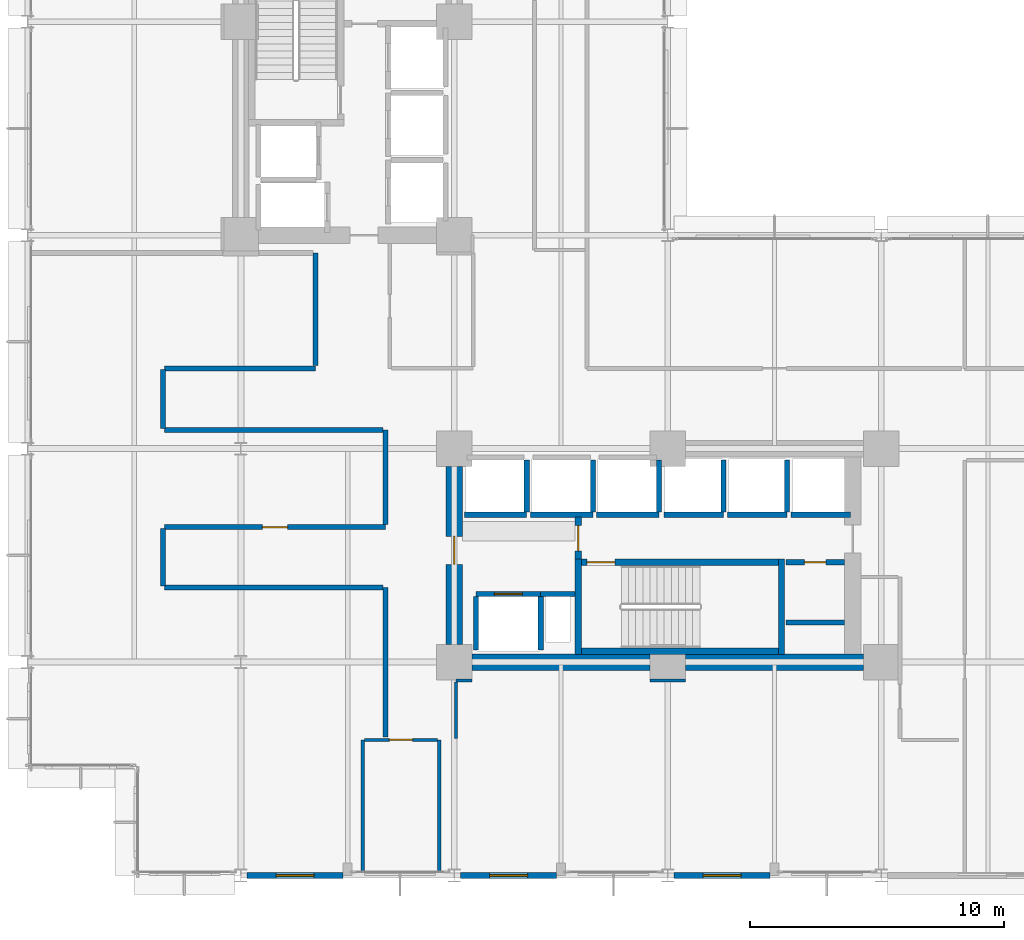
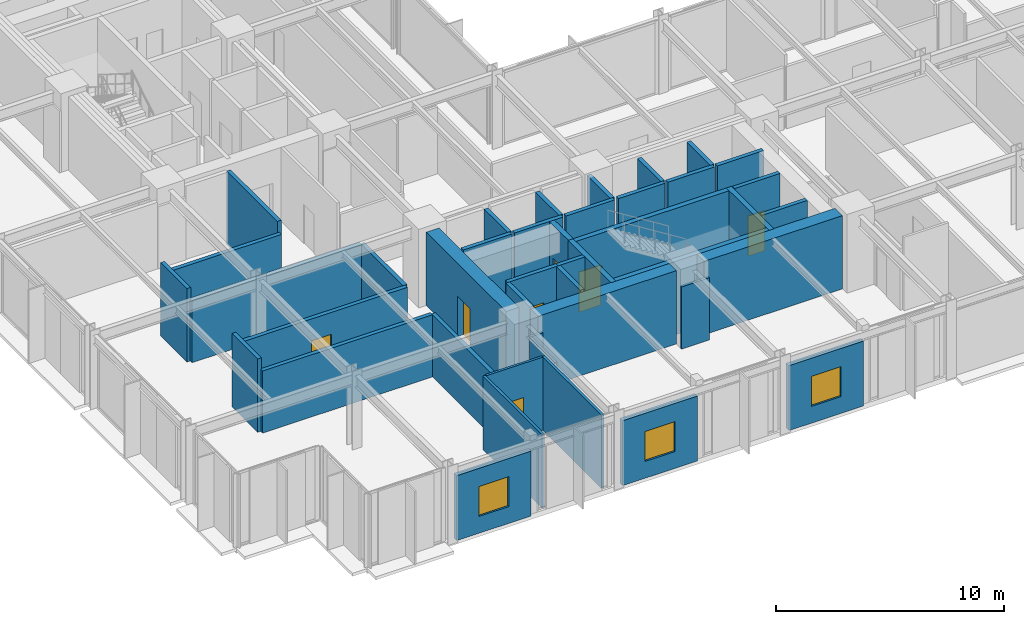
# One storey, part 23 of 30: 43 walls, 7 doors, 3 windows, 10 openings.
"""IFC4 building model written with IfcOpenShell, lengths in metres."""

import ifcopenshell
import ifcopenshell.guid

model = None  # the IFC model being written
_history = None  # IfcOwnerHistory: only IFC2X3 demands one
_inside = {}  # id of a spatial element -> (the spatial element, [elements in it])
_under = {}  # id of a project, library or spatial element -> (it, [spatial elements below it])
_declared = {}  # id of a project -> (the project, [libraries it declares])
_typed = {}  # id of a type object -> (the type object, [elements of that type])
_made_of = {}  # id of a material, layer set ... -> (it, [elements and type objects made of it])


def new_model(schema):
    """Start an empty IFC model of exactly this schema.

    Asked for "IFC4X3", IfcOpenShell would pick the latest addendum, in which some entities
    have other attributes; the version numbers below select the first issue.
    IFC2X3 requires an IfcOwnerHistory on every rooted entity: one is made here for all.
    """
    global model, _history
    if schema == "IFC4X3":
        model = ifcopenshell.file(schema_version=(4, 3, 0, 0))
    else:
        model = ifcopenshell.file(schema=schema)
    _inside.clear()
    _under.clear()
    _declared.clear()
    _typed.clear()
    _made_of.clear()
    _history = None
    if model.schema == "IFC2X3":
        org = make("IfcOrganization", Name="unknown")
        user = make(
            "IfcPersonAndOrganization",
            ThePerson=make("IfcPerson", FamilyName="unknown"),
            TheOrganization=org,
        )
        app = make(
            "IfcApplication",
            ApplicationDeveloper=org,
            Version="unknown",
            ApplicationFullName="unknown",
            ApplicationIdentifier="unknown",
        )
        _history = make(
            "IfcOwnerHistory",
            OwningUser=user,
            OwningApplication=app,
            ChangeAction="ADDED",
            CreationDate=0,
        )
    return model


def make(cls, **values):
    """One entity of the class cls with the attributes given. An attribute that is None is left unset."""
    return model.create_entity(
        cls, **{name: value for name, value in values.items() if value is not None}
    )


def rooted(cls, **values):
    """An entity with a GlobalId (a new one), such as an element, a storey or a relation."""
    return make(cls, GlobalId=ifcopenshell.guid.new(), OwnerHistory=_history, **values)


def si_unit(unit_type, name, prefix=None):
    """IfcSIUnit, for example si_unit("LENGTHUNIT", "METRE", prefix="MILLI")."""
    return make("IfcSIUnit", UnitType=unit_type, Prefix=prefix, Name=name)


def assignment(units):
    """IfcUnitAssignment: the units of a project."""
    return None if units is None else make("IfcUnitAssignment", Units=units)


def point(xyz):
    """IfcCartesianPoint."""
    return None if xyz is None else make("IfcCartesianPoint", Coordinates=xyz)


def direction(xyz):
    """IfcDirection."""
    return None if xyz is None else make("IfcDirection", DirectionRatios=xyz)


def frame(location, z_axis=None, x_axis=None):
    """IfcAxis2Placement3D, a coordinate frame: its origin and axes. An axis left out is left unset."""
    return make(
        "IfcAxis2Placement3D",
        Location=point(location),
        Axis=direction(z_axis),
        RefDirection=direction(x_axis),
    )


def frame_2d(location, x_axis=None):
    """IfcAxis2Placement2D, a coordinate frame in the plane: its origin and x axis."""
    return make(
        "IfcAxis2Placement2D", Location=point(location), RefDirection=direction(x_axis)
    )


def origin():
    """The frame at (0, 0, 0) with its axes left unset."""
    return frame((0.0, 0.0, 0.0))


def place(relative_to, where):
    """IfcLocalPlacement: puts the frame where relative to a parent placement (None: the world)."""
    return make(
        "IfcLocalPlacement", PlacementRelTo=relative_to, RelativePlacement=where
    )


def context(
    kind, dimensions, precision=None, world=None, true_north=None, identifier=None
):
    """IfcGeometricRepresentationContext, for example the 3D "Model" context."""
    return make(
        "IfcGeometricRepresentationContext",
        ContextIdentifier=identifier,
        ContextType=kind,
        CoordinateSpaceDimension=dimensions,
        Precision=precision,
        WorldCoordinateSystem=world,
        TrueNorth=true_north,
    )


def subcontext(parent, identifier, kind, view, scale=None):
    """IfcGeometricRepresentationSubContext, for example "Body" below "Model"."""
    return make(
        "IfcGeometricRepresentationSubContext",
        ContextIdentifier=identifier,
        ContextType=kind,
        ParentContext=parent,
        TargetScale=scale,
        TargetView=view,
    )


def project(units=None, contexts=None):
    """IfcProject with its units and contexts."""
    return rooted(
        "IfcProject",
        Name="project",
        RepresentationContexts=contexts,
        UnitsInContext=assignment(units),
    )


def spatial(cls, under=None, at=None, **own):
    """A site, building, storey or space (cls), placed at a placement, below another one or the project."""
    s = rooted(cls, ObjectPlacement=at, **own)
    if under is not None:
        _under.setdefault(under.id(), (under, []))[1].append(s)
    return s


def profile(cls, at=None, kind="AREA", **sizes):
    """A parametric profile (cls). Its sizes go by their IFC names, for example OverallWidth=200.0."""
    return make(cls, ProfileType=kind, Position=at, **sizes)


def rectangle(**sizes):
    """IfcRectangleProfileDef."""
    return profile("IfcRectangleProfileDef", **sizes)


def extrude(swept, where, along, depth):
    """IfcExtrudedAreaSolid: the profile swept, set in the frame where, extruded along a direction by depth."""
    return make(
        "IfcExtrudedAreaSolid",
        SweptArea=swept,
        Position=where,
        ExtrudedDirection=direction(along),
        Depth=depth,
    )


def shape(context_of_items, identifier, shape_type, items):
    """IfcShapeRepresentation: the items that make up one representation, for example the "Body"."""
    return make(
        "IfcShapeRepresentation",
        ContextOfItems=context_of_items,
        RepresentationIdentifier=identifier,
        RepresentationType=shape_type,
        Items=items,
    )


def material(Name=None, Category=None):
    """IfcMaterial."""
    return make("IfcMaterial", Name=Name, Category=Category)


def layer(
    of_material, thickness, ventilated=None, Name=None, Category=None, Priority=None
):
    """IfcMaterialLayer: one layer of a wall or slab, of a material (None: an air gap)."""
    return make(
        "IfcMaterialLayer",
        Material=of_material,
        LayerThickness=thickness,
        IsVentilated=ventilated,
        Name=Name,
        Category=Category,
        Priority=Priority,
    )


def layer_set(layers, Name=None):
    """IfcMaterialLayerSet."""
    return make("IfcMaterialLayerSet", MaterialLayers=layers, LayerSetName=Name)


def made_of(thing, what):
    """Note that an element or type object is made of a material, layer set ...; save() writes the relation."""
    if what is not None:
        _made_of.setdefault(what.id(), (what, []))[1].append(thing)
    return thing


def type_object(cls, material=None, **own):
    """A type object (cls), such as IfcWallType, which elements share."""
    return made_of(rooted(cls, **own), material)


def element(
    cls,
    number,
    at=None,
    inside=None,
    cuts=None,
    type_object=None,
    material=None,
    context=None,
    identifier="Body",
    shape_type=None,
    held_by="IfcProductDefinitionShape",
    body=None,
    shapes=None,
    **own,
):
    """One element of the class cls, such as IfcWall. Its Tag is "e" and its number.

    at: its placement. inside: the storey or other place that contains it. cuts: it is an
    opening in that element (IfcRelVoidsElement). A single representation is given by context,
    identifier, shape_type and body (its items); several are given by shapes. held_by: the class
    of the entity that holds the representations. save() writes the other relations.
    """
    e = rooted(cls, Tag="e%d" % number, ObjectPlacement=at, **own)
    if body is not None:
        shapes = [shape(context, identifier, shape_type, body)]
    if shapes is not None:
        e.Representation = make(held_by, Representations=shapes)
    if inside is not None:
        _inside.setdefault(inside.id(), (inside, []))[1].append(e)
    if cuts is not None:
        rooted(
            "IfcRelVoidsElement", RelatingBuildingElement=cuts, RelatedOpeningElement=e
        )
    if type_object is not None:
        _typed.setdefault(type_object.id(), (type_object, []))[1].append(e)
    return made_of(e, material)


def fill(opening, filler):
    """IfcRelFillsElement: the door or window that sits in an opening."""
    return rooted(
        "IfcRelFillsElement",
        RelatingOpeningElement=opening,
        RelatedBuildingElement=filler,
    )


def aggregate(whole, parts):
    """IfcRelAggregates: a whole, such as a stair, and the parts it consists of."""
    return rooted("IfcRelAggregates", RelatingObject=whole, RelatedObjects=parts)


def save(model, path):
    """Write the relations noted so far, then the file.

    IfcRelAggregates (storeys below a building ...), IfcRelContainedInSpatialStructure (elements
    in a storey), IfcRelDefinesByType, IfcRelAssociatesMaterial and IfcRelDeclares: one each for
    every whole, place, type object, material and project.
    """
    for whole, parts in _under.values():
        aggregate(whole, parts)
    for where, things in _inside.values():
        rooted(
            "IfcRelContainedInSpatialStructure",
            RelatedElements=things,
            RelatingStructure=where,
        )
    for kind, things in _typed.values():
        rooted("IfcRelDefinesByType", RelatedObjects=things, RelatingType=kind)
    for what, things in _made_of.values():
        rooted("IfcRelAssociatesMaterial", RelatedObjects=things, RelatingMaterial=what)
    for by, libraries in _declared.values():
        rooted("IfcRelDeclares", RelatingContext=by, RelatedDefinitions=libraries)
    model.write(path)


model = new_model("IFC4")

# Units and contexts
model_context = context("Model", 3, precision=1e-05, world=origin(), true_north=direction((0.0, 1.0)))
body_context = subcontext(model_context, "Body", "Model", "MODEL_VIEW")
ifc_project = project(units=[si_unit("LENGTHUNIT", "METRE"), si_unit("AREAUNIT", "SQUARE_METRE"), si_unit("VOLUMEUNIT", "CUBIC_METRE"), si_unit("PLANEANGLEUNIT", "RADIAN"), si_unit("MASSUNIT", "GRAM", prefix="KILO")], contexts=[model_context])

# Site, building, storey
site_placement = place(None, origin())
site = spatial("IfcSite", under=ifc_project, at=site_placement, CompositionType="ELEMENT")
building_placement = place(site_placement, origin())
building = spatial("IfcBuilding", under=site, at=building_placement, Name="Nerrivon Quay Data Exchange", CompositionType="ELEMENT")
storey_placement = place(building_placement, frame((0.0, 0.0, 62.60009765625)))
storey = spatial("IfcBuildingStorey", under=building, at=storey_placement, Name="L14", CompositionType="ELEMENT", Elevation=62.60009765625)

# Wall, opening, window
ifc_material_1 = material(Name="Architectural terracotta precast concrete N50 (50 MPa)", Category="masonry")
ifc_layer_1 = layer(ifc_material_1, 0.239990234375)
ifc_layer_set_1 = layer_set([ifc_layer_1], Name="Architectural terracotta precast concrete N50 (50 MPa)")
wall_type_1 = type_object("IfcWallType", Name="EW-PREC-240", PredefinedType="STANDARD", material=ifc_layer_set_1)
wall_1_placement = place(storey_placement, frame((29.22509765625, 0.0, 0.0), z_axis=(0.0, 0.0, 1.0), x_axis=(-1.0, 0.0, 0.0)))
wall_1 = element("IfcWall", 1, at=wall_1_placement, inside=storey, type_object=wall_type_1, Name="L14 Podium Precast Spandrel Wall 9", PredefinedType="STANDARD", context=body_context, shape_type="SweptSolid", body=[
    extrude(rectangle(XDim=3.775146484375, YDim=0.239990234375, at=frame_2d((1.8876953125, 0.0))), origin(), (0.0, 0.0, 1.0), 3.470947265625),
])
opening_1_placement = place(wall_1_placement, frame((1.137451171875, 0.0, 0.89990234375)))
opening_1 = element("IfcOpeningElement", 2, at=opening_1_placement, cuts=wall_1, Name="Opening WN4", PredefinedType="OPENING", context=body_context, shape_type="SweptSolid", body=[
    extrude(rectangle(XDim=1.5, YDim=1.60009765625, at=frame_2d((0.75, 0.800048828125))), frame((0.0, 0.1298828125, 0.0), z_axis=(0.0, -1.0, 0.0), x_axis=(1.0, 0.0, 0.0)), (0.0, 0.0, 1.0), 0.260009765625),
])
ifc_material_2 = material(Name="Double-glazed low-E solar control glass", Category="glass")
window_type = type_object("IfcWindowType", Name="WIN-W4-1500x1600", PartitioningType="SINGLE_PANEL", PredefinedType="WINDOW", material=ifc_material_2)
window_1_placement = place(opening_1_placement, origin())
window_1 = element("IfcWindow", 3, at=window_1_placement, inside=storey, type_object=window_type, Name="L14 Solar Facade Window 9", OverallHeight=1.60009765625, OverallWidth=1.5, PartitioningType="SINGLE_PANEL", PredefinedType="WINDOW", context=body_context, shape_type="SweptSolid", body=[
    extrude(rectangle(XDim=1.5, YDim=1.60009765625, at=frame_2d((0.75, 0.800048828125))), frame((0.0, 0.030029296875, 0.0), z_axis=(0.0, -1.0, 0.0), x_axis=(1.0, 0.0, 0.0)), (0.0, 0.0, 1.0), 0.06005859375),
])
fill(opening_1, window_1)

wall_2_placement = place(storey_placement, frame((20.824951171875, 0.0, 0.0), z_axis=(0.0, 0.0, 1.0), x_axis=(-1.0, 0.0, 0.0)))
wall_2 = element("IfcWall", 4, at=wall_2_placement, inside=storey, type_object=wall_type_1, Name="L14 Podium Precast Spandrel Wall 11", PredefinedType="STANDARD", context=body_context, shape_type="SweptSolid", body=[
    extrude(rectangle(XDim=3.77490234375, YDim=0.239990234375, at=frame_2d((1.887451171875, 0.0))), origin(), (0.0, 0.0, 1.0), 3.470947265625),
])
opening_2_placement = place(wall_2_placement, frame((1.137451171875, 0.0, 0.89990234375)))
opening_2 = element("IfcOpeningElement", 5, at=opening_2_placement, cuts=wall_2, Name="Opening WN4", PredefinedType="OPENING", context=body_context, shape_type="SweptSolid", body=[
    extrude(rectangle(XDim=1.5, YDim=1.60009765625, at=frame_2d((0.75, 0.800048828125))), frame((0.0, 0.1298828125, 0.0), z_axis=(0.0, -1.0, 0.0), x_axis=(1.0, 0.0, 0.0)), (0.0, 0.0, 1.0), 0.260009765625),
])
window_2_placement = place(opening_2_placement, origin())
window_2 = element("IfcWindow", 6, at=window_2_placement, inside=storey, type_object=window_type, Name="L14 Solar Facade Window 11", OverallHeight=1.60009765625, OverallWidth=1.5, PartitioningType="SINGLE_PANEL", PredefinedType="WINDOW", context=body_context, shape_type="SweptSolid", body=[
    extrude(rectangle(XDim=1.5, YDim=1.60009765625, at=frame_2d((0.75, 0.800048828125))), frame((0.0, 0.030029296875, 0.0), z_axis=(0.0, -1.0, 0.0), x_axis=(1.0, 0.0, 0.0)), (0.0, 0.0, 1.0), 0.06005859375),
])
fill(opening_2, window_2)

wall_3_placement = place(storey_placement, frame((12.425048828125, 0.0, 0.0), z_axis=(0.0, 0.0, 1.0), x_axis=(-1.0, 0.0, 0.0)))
wall_3 = element("IfcWall", 7, at=wall_3_placement, inside=storey, type_object=wall_type_1, Name="L14 Podium Precast Spandrel Wall 13", PredefinedType="STANDARD", context=body_context, shape_type="SweptSolid", body=[
    extrude(rectangle(XDim=3.775146484375, YDim=0.239990234375, at=frame_2d((1.8876953125, 0.0))), origin(), (0.0, 0.0, 1.0), 3.470947265625),
])
opening_3_placement = place(wall_3_placement, frame((1.137451171875, 0.0, 0.89990234375)))
opening_3 = element("IfcOpeningElement", 8, at=opening_3_placement, cuts=wall_3, Name="Opening WN4", PredefinedType="OPENING", context=body_context, shape_type="SweptSolid", body=[
    extrude(rectangle(XDim=1.5, YDim=1.60009765625, at=frame_2d((0.75, 0.800048828125))), frame((0.0, 0.1298828125, 0.0), z_axis=(0.0, -1.0, 0.0), x_axis=(1.0, 0.0, 0.0)), (0.0, 0.0, 1.0), 0.260009765625),
])
window_3_placement = place(opening_3_placement, origin())
window_3 = element("IfcWindow", 9, at=window_3_placement, inside=storey, type_object=window_type, Name="L14 Solar Facade Window 13", OverallHeight=1.60009765625, OverallWidth=1.5, PartitioningType="SINGLE_PANEL", PredefinedType="WINDOW", context=body_context, shape_type="SweptSolid", body=[
    extrude(rectangle(XDim=1.5, YDim=1.60009765625, at=frame_2d((0.75, 0.800048828125))), frame((0.0, 0.030029296875, 0.0), z_axis=(0.0, -1.0, 0.0), x_axis=(1.0, 0.0, 0.0)), (0.0, 0.0, 1.0), 0.06005859375),
])
fill(opening_3, window_3)

# Walls
ifc_material_3 = material(Name="Concrete N80 (80 MPa)", Category="concrete")
ifc_layer_2 = layer(ifc_material_3, 0.64990234375)
ifc_layer_set_2 = layer_set([ifc_layer_2], Name="Concrete N80 (80 MPa)")
wall_type_2 = type_object("IfcWallType", Name="WALL-CW-850", PredefinedType="SHEAR", material=ifc_layer_set_2)
for number, where, z_axis, x_axis, name in (
    (10, (17.5, 8.39990234375, 0.0), (0.0, 0.0, 1.0), (1.0, 0.0, 0.0), "L14 East Split-Core Shear Wall ECW-S1"),
    (11, (25.89990234375, 8.39990234375, 0.0), (0.0, 0.0, 1.0), (1.0, 0.0, 0.0), "L14 East Split-Core Shear Wall ECW-S2"),
):
    element("IfcWall", number, at=place(storey_placement, frame(where, z_axis=z_axis, x_axis=x_axis)), inside=storey, type_object=wall_type_2, Name=name, PredefinedType="SHEAR", context=body_context, shape_type="SweptSolid", body=[
        extrude(rectangle(XDim=7.0, YDim=0.64990234375, at=frame_2d((3.5, 0.0))), origin(), (0.0, 0.0, 1.0), 3.9248046875),
    ])

# Wall, opening, door
wall_4_placement = place(storey_placement, frame((16.800048828125, 9.10009765625, 0.0), z_axis=(0.0, 0.0, 1.0), x_axis=(0.0, 1.0, 0.0)))
wall_4 = element("IfcWall", 12, at=wall_4_placement, inside=storey, type_object=wall_type_2, Name="L14 East Split-Core Shear Wall ECW-W1", PredefinedType="SHEAR", context=body_context, shape_type="SweptSolid", body=[
    extrude(rectangle(XDim=7.0, YDim=0.64990234375, at=frame_2d((3.5, 0.0))), origin(), (0.0, 0.0, 1.0), 3.9248046875),
])
opening_4_placement = place(wall_4_placement, frame((3.14990234375, 0.0, 0.0)))
opening_4 = element("IfcOpeningElement", 13, at=opening_4_placement, cuts=wall_4, Name="Opening FD-120", PredefinedType="OPENING", context=body_context, shape_type="SweptSolid", body=[
    extrude(rectangle(XDim=1.10009765625, YDim=2.14990234375, at=frame_2d((0.550048828125, 1.074951171875))), frame((0.0, 0.3349609375, 0.0), z_axis=(0.0, -1.0, 0.0), x_axis=(1.0, 0.0, 0.0)), (0.0, 0.0, 1.0), 0.669921875),
])
ifc_material_4 = material(Name="Powder-coated galvanized steel sheet", Category="steel")
door_type_1 = type_object("IfcDoorType", Name="DR-FD120-1100", OperationType="NOTDEFINED", PredefinedType="DOOR", material=ifc_material_4)
door_1_placement = place(opening_4_placement, origin())
door_1 = element("IfcDoor", 14, at=door_1_placement, inside=storey, type_object=door_type_1, Name="L14 East Core Lobby Fire Door", OperationType="SINGLE_SWING_LEFT", OverallHeight=2.14990234375, OverallWidth=1.10009765625, PredefinedType="DOOR", context=body_context, shape_type="SweptSolid", body=[
    extrude(rectangle(XDim=1.10009765625, YDim=2.14990234375, at=frame_2d((0.550048828125, 1.074951171875))), frame((0.0, 0.02490234375, 0.0), z_axis=(0.0, -1.0, 0.0), x_axis=(1.0, 0.0, 0.0)), (0.0, 0.0, 1.0), 0.050048828125),
])
fill(opening_4, door_1)

# Wall
ifc_material_5 = material(Name="Gypsum plasterboard on cold-formed framing", Category="gypsum")
ifc_layer_3 = layer(ifc_material_5, 0.199951171875)
ifc_layer_set_3 = layer_set([ifc_layer_3], Name="Gypsum plasterboard on cold-formed framing")
wall_type_3 = type_object("IfcWallType", Name="WALL-FW-200", PredefinedType="PARTITIONING", material=ifc_layer_set_3)
wall_5_placement = place(storey_placement, frame((20.199951171875, 11.080078125, 0.0), z_axis=(0.0, 0.0, 1.0), x_axis=(1.0, 0.0, 0.0)))
element("IfcWall", 15, at=wall_5_placement, inside=storey, type_object=wall_type_3, Name="L14 East Core MEP Riser Shaft Wall N", PredefinedType="PARTITIONING", context=body_context, shape_type="SweptSolid", body=[
    extrude(rectangle(XDim=1.35009765625, YDim=0.199951171875, at=frame_2d((0.675048828125, 0.0))), origin(), (0.0, 0.0, 1.0), 3.9248046875),
])

# Wall, opening, door
wall_6_placement = place(storey_placement, frame((17.64990234375, 11.080078125, 0.0), z_axis=(0.0, 0.0, 1.0), x_axis=(1.0, 0.0, 0.0)))
wall_6 = element("IfcWall", 16, at=wall_6_placement, inside=storey, type_object=wall_type_3, Name="L14 Lift Front Wall FFL-2", PredefinedType="PARTITIONING", context=body_context, shape_type="SweptSolid", body=[
    extrude(rectangle(XDim=2.550048828125, YDim=0.199951171875, at=frame_2d((1.27490234375, 0.0))), origin(), (0.0, 0.0, 1.0), 3.9248046875),
])
opening_5_placement = place(wall_6_placement, frame((0.72509765625, 0.0, 0.0)))
opening_5 = element("IfcOpeningElement", 17, at=opening_5_placement, cuts=wall_6, Name="Opening LD-120", PredefinedType="OPENING", context=body_context, shape_type="SweptSolid", body=[
    extrude(rectangle(XDim=1.10009765625, YDim=2.199951171875, at=frame_2d((0.550048828125, 1.10009765625))), frame((0.0, 0.10986328125, 0.0), z_axis=(0.0, -1.0, 0.0), x_axis=(1.0, 0.0, 0.0)), (0.0, 0.0, 1.0), 0.219970703125),
])
door_type_2 = type_object("IfcDoorType", Name="DR-LIFT-LD120", OperationType="DOUBLE_DOOR_SLIDING", PredefinedType="DOOR", material=ifc_material_4)
door_2_placement = place(opening_5_placement, origin())
door_2 = element("IfcDoor", 18, at=door_2_placement, inside=storey, type_object=door_type_2, Name="L14 Lift Landing Sliding Door FFL-2", OperationType="DOUBLE_DOOR_SLIDING", OverallHeight=2.199951171875, OverallWidth=1.10009765625, PredefinedType="DOOR", context=body_context, shape_type="SweptSolid", body=[
    extrude(rectangle(XDim=1.10009765625, YDim=2.199951171875, at=frame_2d((0.550048828125, 1.10009765625))), frame((0.0, 0.02490234375, 0.0), z_axis=(0.0, -1.0, 0.0), x_axis=(1.0, 0.0, 0.0)), (0.0, 0.0, 1.0), 0.050048828125),
])
fill(opening_5, door_2)

# Walls
for number, where, z_axis, x_axis, name in (
    (19, (20.199951171875, 8.8798828125, 0.0), (0.0, 0.0, 1.0), (0.0, 1.0, 0.0), "L14 Lift Shaft Wall FFL-2 EAST"),
    (20, (17.64990234375, 8.8798828125, 0.0), (0.0, 0.0, 1.0), (0.0, 1.0, 0.0), "L14 Lift Shaft Wall FFL-2 WEST"),
):
    element("IfcWall", number, at=place(storey_placement, frame(where, z_axis=z_axis, x_axis=x_axis)), inside=storey, type_object=wall_type_3, Name=name, PredefinedType="PARTITIONING", context=body_context, shape_type="SweptSolid", body=[
        extrude(rectangle(XDim=2.10009765625, YDim=0.199951171875, at=frame_2d((1.050048828125, 0.0))), origin(), (0.0, 0.0, 1.0), 3.9248046875),
    ])
wall_7_placement = place(storey_placement, frame((17.199951171875, 14.199951171875, 0.0), z_axis=(0.0, 0.0, 1.0), x_axis=(1.0, 0.0, 0.0)))
element("IfcWall", 21, at=wall_7_placement, inside=storey, type_object=wall_type_3, Name="L14 Lift Front Wall PL4", PredefinedType="PARTITIONING", context=body_context, shape_type="SweptSolid", body=[
    extrude(rectangle(XDim=2.449951171875, YDim=0.199951171875, at=frame_2d((1.22509765625, 0.0))), origin(), (0.0, 0.0, 1.0), 3.9248046875),
])
wall_8_placement = place(storey_placement, frame((19.64990234375, 14.300048828125, 0.0), z_axis=(0.0, 0.0, 1.0), x_axis=(0.0, 1.0, 0.0)))
element("IfcWall", 22, at=wall_8_placement, inside=storey, type_object=wall_type_3, Name="L14 Lift Shaft Wall PL4 EAST", PredefinedType="PARTITIONING", context=body_context, shape_type="SweptSolid", body=[
    extrude(rectangle(XDim=2.050048828125, YDim=0.199951171875, at=frame_2d((1.02490234375, 0.0))), origin(), (0.0, 0.0, 1.0), 3.9248046875),
])
wall_9_placement = place(storey_placement, frame((19.800048828125, 14.199951171875, 0.0), z_axis=(0.0, 0.0, 1.0), x_axis=(1.0, 0.0, 0.0)))
element("IfcWall", 23, at=wall_9_placement, inside=storey, type_object=wall_type_3, Name="L14 Lift Front Wall PL5", PredefinedType="PARTITIONING", context=body_context, shape_type="SweptSolid", body=[
    extrude(rectangle(XDim=2.449951171875, YDim=0.199951171875, at=frame_2d((1.22509765625, 0.0))), origin(), (0.0, 0.0, 1.0), 3.9248046875),
])
wall_10_placement = place(storey_placement, frame((22.25, 14.300048828125, 0.0), z_axis=(0.0, 0.0, 1.0), x_axis=(0.0, 1.0, 0.0)))
element("IfcWall", 24, at=wall_10_placement, inside=storey, type_object=wall_type_3, Name="L14 Lift Shaft Wall PL5 EAST", PredefinedType="PARTITIONING", context=body_context, shape_type="SweptSolid", body=[
    extrude(rectangle(XDim=2.050048828125, YDim=0.199951171875, at=frame_2d((1.02490234375, 0.0))), origin(), (0.0, 0.0, 1.0), 3.9248046875),
])
wall_11_placement = place(storey_placement, frame((22.39990234375, 14.199951171875, 0.0), z_axis=(0.0, 0.0, 1.0), x_axis=(1.0, 0.0, 0.0)))
element("IfcWall", 25, at=wall_11_placement, inside=storey, type_object=wall_type_3, Name="L14 Lift Front Wall PL6", PredefinedType="PARTITIONING", context=body_context, shape_type="SweptSolid", body=[
    extrude(rectangle(XDim=2.4501953125, YDim=0.199951171875, at=frame_2d((1.22509765625, 0.0))), origin(), (0.0, 0.0, 1.0), 3.9248046875),
])
wall_12_placement = place(storey_placement, frame((24.85009765625, 14.300048828125, 0.0), z_axis=(0.0, 0.0, 1.0), x_axis=(0.0, 1.0, 0.0)))
element("IfcWall", 26, at=wall_12_placement, inside=storey, type_object=wall_type_3, Name="L14 Lift Shaft Wall PL6 EAST", PredefinedType="PARTITIONING", context=body_context, shape_type="SweptSolid", body=[
    extrude(rectangle(XDim=2.050048828125, YDim=0.199951171875, at=frame_2d((1.02490234375, 0.0))), origin(), (0.0, 0.0, 1.0), 3.9248046875),
])
wall_13_placement = place(storey_placement, frame((25.050048828125, 14.199951171875, 0.0), z_axis=(0.0, 0.0, 1.0), x_axis=(1.0, 0.0, 0.0)))
element("IfcWall", 27, at=wall_13_placement, inside=storey, type_object=wall_type_3, Name="L14 Lift Front Wall PL7", PredefinedType="PARTITIONING", context=body_context, shape_type="SweptSolid", body=[
    extrude(rectangle(XDim=2.349853515625, YDim=0.199951171875, at=frame_2d((1.1748046875, 0.0))), origin(), (0.0, 0.0, 1.0), 3.9248046875),
])
wall_14_placement = place(storey_placement, frame((27.39990234375, 14.300048828125, 0.0), z_axis=(0.0, 0.0, 1.0), x_axis=(0.0, 1.0, 0.0)))
element("IfcWall", 28, at=wall_14_placement, inside=storey, type_object=wall_type_3, Name="L14 Lift Shaft Wall PL7 EAST", PredefinedType="PARTITIONING", context=body_context, shape_type="SweptSolid", body=[
    extrude(rectangle(XDim=2.050048828125, YDim=0.199951171875, at=frame_2d((1.02490234375, 0.0))), origin(), (0.0, 0.0, 1.0), 3.9248046875),
])
wall_15_placement = place(storey_placement, frame((27.550048828125, 14.199951171875, 0.0), z_axis=(0.0, 0.0, 1.0), x_axis=(1.0, 0.0, 0.0)))
element("IfcWall", 29, at=wall_15_placement, inside=storey, type_object=wall_type_3, Name="L14 Lift Front Wall PL8", PredefinedType="PARTITIONING", context=body_context, shape_type="SweptSolid", body=[
    extrude(rectangle(XDim=2.349853515625, YDim=0.199951171875, at=frame_2d((1.1748046875, 0.0))), origin(), (0.0, 0.0, 1.0), 3.9248046875),
])
wall_16_placement = place(storey_placement, frame((29.89990234375, 14.300048828125, 0.0), z_axis=(0.0, 0.0, 1.0), x_axis=(0.0, 1.0, 0.0)))
element("IfcWall", 30, at=wall_16_placement, inside=storey, type_object=wall_type_3, Name="L14 Lift Shaft Wall PL8 EAST", PredefinedType="PARTITIONING", context=body_context, shape_type="SweptSolid", body=[
    extrude(rectangle(XDim=2.050048828125, YDim=0.199951171875, at=frame_2d((1.02490234375, 0.0))), origin(), (0.0, 0.0, 1.0), 3.9248046875),
])
wall_17_placement = place(storey_placement, frame((30.050048828125, 14.199951171875, 0.0), z_axis=(0.0, 0.0, 1.0), x_axis=(1.0, 0.0, 0.0)))
element("IfcWall", 31, at=wall_17_placement, inside=storey, type_object=wall_type_3, Name="L14 Lift Front Wall PL9", PredefinedType="PARTITIONING", context=body_context, shape_type="SweptSolid", body=[
    extrude(rectangle(XDim=2.349853515625, YDim=0.199951171875, at=frame_2d((1.1748046875, 0.0))), origin(), (0.0, 0.0, 1.0), 3.9248046875),
])

# Wall, opening, door
wall_18_placement = place(storey_placement, frame((32.14599609375, 12.330078125, 0.0), z_axis=(0.0, 0.0, 1.0), x_axis=(-1.0, 0.0, 0.0)))
wall_18 = element("IfcWall", 32, at=wall_18_placement, inside=storey, type_object=wall_type_3, Name="L14 Partition East Supply Store", PredefinedType="PARTITIONING", context=body_context, shape_type="SweptSolid", body=[
    extrude(rectangle(XDim=2.2958984375, YDim=0.199951171875, at=frame_2d((1.14794921875, 0.0))), origin(), (0.0, 0.0, 1.0), 3.9248046875),
])
opening_6_placement = place(wall_18_placement, frame((0.722900390625, 0.0, 0.0)))
opening_6 = element("IfcOpeningElement", 33, at=opening_6_placement, cuts=wall_18, Name="Opening FD-60S", PredefinedType="OPENING", context=body_context, shape_type="SweptSolid", body=[
    extrude(rectangle(XDim=0.85009765625, YDim=2.14990234375, at=frame_2d((0.425048828125, 1.074951171875))), frame((0.0, 0.10986328125, 0.0), z_axis=(0.0, -1.0, 0.0), x_axis=(1.0, 0.0, 0.0)), (0.0, 0.0, 1.0), 0.219970703125),
])
ifc_material_6 = material(Name="Engineered hardwood timber", Category="wood")
door_type_3 = type_object("IfcDoorType", Name="DR-FD60-850", OperationType="NOTDEFINED", PredefinedType="DOOR", material=ifc_material_6)
door_3_placement = place(opening_6_placement, origin())
door_3 = element("IfcDoor", 34, at=door_3_placement, inside=storey, type_object=door_type_3, Name="L14 Door East Supply Store", OperationType="SINGLE_SWING_RIGHT", OverallHeight=2.14990234375, OverallWidth=0.85009765625, PredefinedType="DOOR", context=body_context, shape_type="SweptSolid", body=[
    extrude(rectangle(XDim=0.85009765625, YDim=2.14990234375, at=frame_2d((0.425048828125, 1.074951171875))), frame((0.0, 0.02490234375, 0.0), z_axis=(0.0, -1.0, 0.0), x_axis=(1.0, 0.0, 0.0)), (0.0, 0.0, 1.0), 0.050048828125),
])
fill(opening_6, door_3)

# Walls
wall_19_placement = place(storey_placement, frame((29.85009765625, 9.949951171875, 0.0), z_axis=(0.0, 0.0, 1.0), x_axis=(1.0, 0.0, 0.0)))
element("IfcWall", 35, at=wall_19_placement, inside=storey, type_object=wall_type_3, Name="L14 Partition East Supply Store", PredefinedType="PARTITIONING", context=body_context, shape_type="SweptSolid", body=[
    extrude(rectangle(XDim=2.2958984375, YDim=0.199951171875, at=frame_2d((1.14794921875, 0.0))), origin(), (0.0, 0.0, 1.0), 3.9248046875),
])
wall_20_placement = place(storey_placement, frame((5.39990234375, 19.9599609375, 0.0), z_axis=(0.0, 0.0, 1.0), x_axis=(1.0, 0.0, 0.0)))
element("IfcWall", 36, at=wall_20_placement, inside=storey, type_object=wall_type_3, Name="L14 Partition Colocation Data Workspace 1", PredefinedType="PARTITIONING", context=body_context, shape_type="SweptSolid", body=[
    extrude(rectangle(XDim=5.940185546875, YDim=0.199951171875, at=frame_2d((2.97021484375, 0.0))), origin(), (0.0, 0.0, 1.0), 3.322998046875),
])
wall_21_placement = place(storey_placement, frame((11.340087890625, 20.06396484375, 0.0), z_axis=(0.0, 0.0, 1.0), x_axis=(0.0, 1.0, 0.0)))
element("IfcWall", 37, at=wall_21_placement, inside=storey, type_object=wall_type_3, Name="L14 Partition Colocation Data Workspace 1", PredefinedType="PARTITIONING", context=body_context, shape_type="SweptSolid", body=[
    extrude(rectangle(XDim=4.43994140625, YDim=0.199951171875, at=frame_2d((2.219970703125, 0.0))), origin(), (0.0, 0.0, 1.0), 3.9248046875),
])
wall_22_placement = place(storey_placement, frame((14.090087890625, 5.4599609375, 0.0), z_axis=(0.0, 0.0, 1.0), x_axis=(0.0, 1.0, 0.0)))
element("IfcWall", 38, at=wall_22_placement, inside=storey, type_object=wall_type_3, Name="L14 Partition Colocation Data Workspace 1", PredefinedType="PARTITIONING", context=body_context, shape_type="SweptSolid", body=[
    extrude(rectangle(XDim=5.880126953125, YDim=0.199951171875, at=frame_2d((2.93994140625, 0.0))), origin(), (0.0, 0.0, 1.0), 3.31298828125),
])
wall_23_placement = place(storey_placement, frame((13.986083984375, 11.340087890625, 0.0), z_axis=(0.0, 0.0, 1.0), x_axis=(-1.0, 0.0, 0.0)))
element("IfcWall", 39, at=wall_23_placement, inside=storey, type_object=wall_type_3, Name="L14 Partition Colocation Data Workspace 1", PredefinedType="PARTITIONING", context=body_context, shape_type="SweptSolid", body=[
    extrude(rectangle(XDim=8.586181640625, YDim=0.199951171875, at=frame_2d((4.29296875, 0.0))), origin(), (0.0, 0.0, 1.0), 3.322998046875),
])
wall_24_placement = place(storey_placement, frame((5.340087890625, 11.39990234375, 0.0), z_axis=(0.0, 0.0, 1.0), x_axis=(0.000108213396, 0.999999994145, 0.0)))
element("IfcWall", 40, at=wall_24_placement, inside=storey, type_object=wall_type_3, Name="L14 Partition Colocation Data Workspace 1", PredefinedType="PARTITIONING", context=body_context, shape_type="SweptSolid", body=[
    extrude(rectangle(XDim=2.256103515625, YDim=0.199951171875, at=frame_2d((1.1279296875, 0.0))), origin(), (0.0, 0.0, 1.0), 3.9248046875),
])

# Wall, opening, door
wall_25_placement = place(storey_placement, frame((5.39990234375, 13.7099609375, 0.0), z_axis=(0.0, 0.0, 1.0), x_axis=(1.0, 0.0, 0.0)))
wall_25 = element("IfcWall", 41, at=wall_25_placement, inside=storey, type_object=wall_type_3, Name="L14 Partition Colocation Data Workspace 1", PredefinedType="PARTITIONING", context=body_context, shape_type="SweptSolid", body=[
    extrude(rectangle(XDim=8.690185546875, YDim=0.199951171875, at=frame_2d((4.34521484375, 0.0))), origin(), (0.0, 0.0, 1.0), 3.322998046875),
])
opening_7_placement = place(wall_25_placement, frame((3.844970703125, 0.0, 0.0)))
opening_7 = element("IfcOpeningElement", 42, at=opening_7_placement, cuts=wall_25, Name="Opening FD-60", PredefinedType="OPENING", context=body_context, shape_type="SweptSolid", body=[
    extrude(rectangle(XDim=1.0, YDim=2.14990234375, at=frame_2d((0.5, 1.074951171875))), frame((0.0, 0.10986328125, 0.0), z_axis=(0.0, -1.0, 0.0), x_axis=(1.0, 0.0, 0.0)), (0.0, 0.0, 1.0), 0.219970703125),
])
door_type_4 = type_object("IfcDoorType", Name="DR-FD60-1000", OperationType="NOTDEFINED", PredefinedType="DOOR", material=ifc_material_6)
door_4_placement = place(opening_7_placement, origin())
door_4 = element("IfcDoor", 43, at=door_4_placement, inside=storey, type_object=door_type_4, Name="L14 Door Colocation Data Workspace 1", OperationType="SINGLE_SWING_RIGHT", OverallHeight=2.14990234375, OverallWidth=1.0, PredefinedType="DOOR", context=body_context, shape_type="SweptSolid", body=[
    extrude(rectangle(XDim=1.0, YDim=2.14990234375, at=frame_2d((0.5, 1.074951171875))), frame((0.0, 0.02490234375, 0.0), z_axis=(0.0, -1.0, 0.0), x_axis=(1.0, 0.0, 0.0)), (0.0, 0.0, 1.0), 0.050048828125),
])
fill(opening_7, door_4)

# Walls
wall_26_placement = place(storey_placement, frame((14.090087890625, 13.81396484375, 0.0), z_axis=(0.0, 0.0, 1.0), x_axis=(0.0, 1.0, 0.0)))
element("IfcWall", 44, at=wall_26_placement, inside=storey, type_object=wall_type_3, Name="L14 Partition Colocation Data Workspace 1", PredefinedType="PARTITIONING", context=body_context, shape_type="SweptSolid", body=[
    extrude(rectangle(XDim=3.72607421875, YDim=0.199951171875, at=frame_2d((1.863037109375, 0.0))), origin(), (0.0, 0.0, 1.0), 3.31298828125),
])
wall_27_placement = place(storey_placement, frame((13.986083984375, 17.5400390625, 0.0), z_axis=(0.0, 0.0, 1.0), x_axis=(-1.0, 0.0, 0.0)))
element("IfcWall", 45, at=wall_27_placement, inside=storey, type_object=wall_type_3, Name="L14 Partition Colocation Data Workspace 1", PredefinedType="PARTITIONING", context=body_context, shape_type="SweptSolid", body=[
    extrude(rectangle(XDim=8.586181640625, YDim=0.199951171875, at=frame_2d((4.29296875, 0.0))), origin(), (0.0, 0.0, 1.0), 3.322998046875),
])
wall_28_placement = place(storey_placement, frame((5.340087890625, 17.60009765625, 0.0), z_axis=(0.0, 0.0, 1.0), x_axis=(0.000105876124, 0.999999994395, 0.0)))
element("IfcWall", 46, at=wall_28_placement, inside=storey, type_object=wall_type_3, Name="L14 Partition Colocation Data Workspace 1", PredefinedType="PARTITIONING", context=body_context, shape_type="SweptSolid", body=[
    extrude(rectangle(XDim=2.305908203125, YDim=0.199951171875, at=frame_2d((1.15283203125, 0.0))), origin(), (0.0, 0.0, 1.0), 3.9248046875),
])

# Wall, opening, door
ifc_layer_4 = layer(ifc_material_5, 0.1201171875)
ifc_layer_set_4 = layer_set([ifc_layer_4], Name="Gypsum plasterboard on cold-formed framing")
wall_type_4 = type_object("IfcWallType", Name="WALL-PT-120", PredefinedType="PARTITIONING", material=ifc_layer_set_4)
wall_29_placement = place(storey_placement, frame((16.12841796875, 5.340087890625, 0.0), z_axis=(0.0, 0.0, 1.0), x_axis=(-1.0, 0.0, 0.0)))
wall_29 = element("IfcWall", 47, at=wall_29_placement, inside=storey, type_object=wall_type_4, Name="L14 Partition Accessible Toilet", PredefinedType="PARTITIONING", context=body_context, shape_type="SweptSolid", body=[
    extrude(rectangle(XDim=2.85693359375, YDim=0.1201171875, at=frame_2d((1.428466796875, 0.0))), origin(), (0.0, 0.0, 1.0), 3.9248046875),
])
opening_8_placement = place(wall_29_placement, frame((0.968505859375, 0.0, 0.0)))
opening_8 = element("IfcOpeningElement", 48, at=opening_8_placement, cuts=wall_29, Name="Opening D-WC", PredefinedType="OPENING", context=body_context, shape_type="SweptSolid", body=[
    extrude(rectangle(XDim=0.919921875, YDim=2.10009765625, at=frame_2d((0.4599609375, 1.050048828125))), frame((0.0, 0.070068359375, 0.0), z_axis=(0.0, -1.0, 0.0), x_axis=(1.0, 0.0, 0.0)), (0.0, 0.0, 1.0), 0.14013671875),
])
door_type_5 = type_object("IfcDoorType", Name="DR-WC-920", OperationType="NOTDEFINED", PredefinedType="DOOR", material=ifc_material_6)
door_5_placement = place(opening_8_placement, origin())
door_5 = element("IfcDoor", 49, at=door_5_placement, inside=storey, type_object=door_type_5, Name="L14 Door Accessible Toilet", OperationType="SINGLE_SWING_LEFT", OverallHeight=2.10009765625, OverallWidth=0.919921875, PredefinedType="DOOR", context=body_context, shape_type="SweptSolid", body=[
    extrude(rectangle(XDim=0.919921875, YDim=2.10009765625, at=frame_2d((0.4599609375, 1.050048828125))), frame((0.0, 0.02490234375, 0.0), z_axis=(0.0, -1.0, 0.0), x_axis=(1.0, 0.0, 0.0)), (0.0, 0.0, 1.0), 0.050048828125),
])
fill(opening_8, door_5)

# Walls
wall_30_placement = place(storey_placement, frame((25.90576171875, 7.680908203125, 0.0), z_axis=(0.0, 0.0, 1.0), x_axis=(-0.999999758706, -0.000694685487, 0.0)))
element("IfcWall", 50, at=wall_30_placement, inside=storey, type_object=wall_type_4, Name="L14 Partition Technical Library", PredefinedType="PARTITIONING", context=body_context, shape_type="SweptSolid", body=[
    extrude(rectangle(XDim=1.40576171875, YDim=0.1201171875, at=frame_2d((0.702880859375, 0.0))), origin(), (0.0, 0.0, 1.0), 3.322998046875),
])
wall_31_placement = place(storey_placement, frame((17.5, 7.679931640625, 0.0), z_axis=(0.0, 0.0, 1.0), x_axis=(-1.0, 0.0, 0.0)))
element("IfcWall", 51, at=wall_31_placement, inside=storey, type_object=wall_type_4, Name="L14 Partition Technical Library", PredefinedType="PARTITIONING", context=body_context, shape_type="SweptSolid", body=[
    extrude(rectangle(XDim=0.639892578125, YDim=0.1201171875, at=frame_2d((0.31982421875, 0.0))), origin(), (0.0, 0.0, 1.0), 3.322998046875),
])
wall_32_placement = place(storey_placement, frame((16.860107421875, 7.615966796875, 0.0), z_axis=(0.0, 0.0, 1.0), x_axis=(0.0, -1.0, 0.0)))
element("IfcWall", 52, at=wall_32_placement, inside=storey, type_object=wall_type_4, Name="L14 Partition Technical Library", PredefinedType="PARTITIONING", context=body_context, shape_type="SweptSolid", body=[
    extrude(rectangle(XDim=2.216064453125, YDim=0.1201171875, at=frame_2d((1.10791015625, 0.0))), origin(), (0.0, 0.0, 1.0), 3.322998046875),
])
ifc_layer_5 = layer(ifc_material_5, 0.135009765625)
ifc_layer_set_5 = layer_set([ifc_layer_5], Name="Gypsum plasterboard on cold-formed framing")
wall_type_5 = type_object("IfcWallType", Name="WALL-PT-135", PredefinedType="PARTITIONING", material=ifc_layer_set_5)
for number, where, z_axis, x_axis, name in (
    (53, (13.199951171875, 5.340087890625, 0.0), (0.0, 0.0, 1.0), (0.0, -1.0, 0.0), "L14 Partition Accessible Toilet"),
    (54, (16.199951171875, 0.1689453125, 0.0), (0.0, 0.0, 1.0), (0.0, 1.0, 0.0), "L14 Partition Accessible Toilet"),
):
    element("IfcWall", number, at=place(storey_placement, frame(where, z_axis=z_axis, x_axis=x_axis)), inside=storey, type_object=wall_type_5, Name=name, PredefinedType="PARTITIONING", context=body_context, shape_type="SweptSolid", body=[
        extrude(rectangle(XDim=5.171142578125, YDim=0.135009765625, at=frame_2d((2.58544921875, 0.0))), origin(), (0.0, 0.0, 1.0), 3.9248046875),
    ])
ifc_material_7 = material(Name="Concrete N50 (50 MPa)", Category="concrete")
ifc_layer_6 = layer(ifc_material_7, 0.25)
ifc_layer_set_6 = layer_set([ifc_layer_6], Name="Concrete N50 (50 MPa)")
wall_type_6 = type_object("IfcWallType", Name="WALL-SW-250", PredefinedType="SHEAR", material=ifc_layer_set_6)
for number, where, z_axis, x_axis, name in (
    (55, (21.675048828125, 8.699951171875, 0.0), (0.0, 0.0, 1.0), (0.0, 1.0, 0.0), "L14 ST02 Structural Stair Core Wall NEAR"),
    (56, (29.675048828125, 8.699951171875, 0.0), (0.0, 0.0, 1.0), (0.0, 1.0, 0.0), "L14 ST02 Structural Stair Core Wall FAR"),
):
    element("IfcWall", number, at=place(storey_placement, frame(where, z_axis=z_axis, x_axis=x_axis)), inside=storey, type_object=wall_type_6, Name=name, PredefinedType="SHEAR", context=body_context, shape_type="SweptSolid", body=[
        extrude(rectangle(XDim=3.75, YDim=0.25, at=frame_2d((1.875, 0.0))), origin(), (0.0, 0.0, 1.0), 3.9248046875),
    ])
wall_33_placement = place(storey_placement, frame((21.800048828125, 8.824951171875, 0.0), z_axis=(0.0, 0.0, 1.0), x_axis=(1.0, 0.0, 0.0)))
element("IfcWall", 57, at=wall_33_placement, inside=storey, type_object=wall_type_6, Name="L14 ST02 Structural Stair Core Wall LEFT", PredefinedType="SHEAR", context=body_context, shape_type="SweptSolid", body=[
    extrude(rectangle(XDim=7.75, YDim=0.25, at=frame_2d((3.875, 0.0))), origin(), (0.0, 0.0, 1.0), 3.9248046875),
])

# Wall, opening, door
wall_34_placement = place(storey_placement, frame((21.800048828125, 12.324951171875, 0.0), z_axis=(0.0, 0.0, 1.0), x_axis=(1.0, 0.0, 0.0)))
wall_34 = element("IfcWall", 58, at=wall_34_placement, inside=storey, type_object=wall_type_6, Name="L14 ST02 Structural Stair Core Wall RIGHT", PredefinedType="SHEAR", context=body_context, shape_type="SweptSolid", body=[
    extrude(rectangle(XDim=7.75, YDim=0.25, at=frame_2d((3.875, 0.0))), origin(), (0.0, 0.0, 1.0), 3.9248046875),
])
opening_9_placement = place(wall_34_placement, frame((0.219970703125, 0.0, 0.0)))
opening_9 = element("IfcOpeningElement", 59, at=opening_9_placement, cuts=wall_34, Name="Opening FD-120", PredefinedType="OPENING", context=body_context, shape_type="SweptSolid", body=[
    extrude(rectangle(XDim=1.10009765625, YDim=2.14990234375, at=frame_2d((0.550048828125, 1.074951171875))), frame((0.0, 0.135009765625, 0.0), z_axis=(0.0, -1.0, 0.0), x_axis=(1.0, 0.0, 0.0)), (0.0, 0.0, 1.0), 0.27001953125),
])
door_6_placement = place(opening_9_placement, origin())
door_6 = element("IfcDoor", 60, at=door_6_placement, inside=storey, type_object=door_type_1, Name="L14 Protected Stair Door ST02", OperationType="SINGLE_SWING_LEFT", OverallHeight=2.14990234375, OverallWidth=1.10009765625, PredefinedType="DOOR", context=body_context, shape_type="SweptSolid", body=[
    extrude(rectangle(XDim=1.10009765625, YDim=2.14990234375, at=frame_2d((0.550048828125, 1.074951171875))), frame((0.0, 0.02490234375, 0.0), z_axis=(0.0, -1.0, 0.0), x_axis=(1.0, 0.0, 0.0)), (0.0, 0.0, 1.0), 0.050048828125),
])
fill(opening_9, door_6)

wall_35_placement = place(storey_placement, frame((21.679931640625, 12.449951171875, 0.0), z_axis=(0.0, 0.0, 1.0), x_axis=(0.0, 1.0, 0.0)))
wall_35 = element("IfcWall", 61, at=wall_35_placement, inside=storey, type_object=wall_type_6, Name="L14 East Firefighting Lobby Wall", PredefinedType="SHEAR", context=body_context, shape_type="SweptSolid", body=[
    extrude(rectangle(XDim=1.650146484375, YDim=0.25, at=frame_2d((0.8251953125, 0.0))), origin(), (0.0, 0.0, 1.0), 3.9248046875),
])
opening_10_placement = place(wall_35_placement, frame((0.324951171875, 0.0, 0.0)))
opening_10 = element("IfcOpeningElement", 62, at=opening_10_placement, cuts=wall_35, Name="Opening FD-60", PredefinedType="OPENING", context=body_context, shape_type="SweptSolid", body=[
    extrude(rectangle(XDim=1.0, YDim=2.14990234375, at=frame_2d((0.5, 1.074951171875))), frame((0.0, 0.135009765625, 0.0), z_axis=(0.0, -1.0, 0.0), x_axis=(1.0, 0.0, 0.0)), (0.0, 0.0, 1.0), 0.27001953125),
])
door_7_placement = place(opening_10_placement, origin())
door_7 = element("IfcDoor", 63, at=door_7_placement, inside=storey, type_object=door_type_4, Name="L14 East Firefighting Lobby Fire Door", OperationType="SINGLE_SWING_LEFT", OverallHeight=2.14990234375, OverallWidth=1.0, PredefinedType="DOOR", context=body_context, shape_type="SweptSolid", body=[
    extrude(rectangle(XDim=1.0, YDim=2.14990234375, at=frame_2d((0.5, 1.074951171875))), frame((0.0, 0.02490234375, 0.0), z_axis=(0.0, -1.0, 0.0), x_axis=(1.0, 0.0, 0.0)), (0.0, 0.0, 1.0), 0.050048828125),
])
fill(opening_10, door_7)

save(model, "model.ifc")
